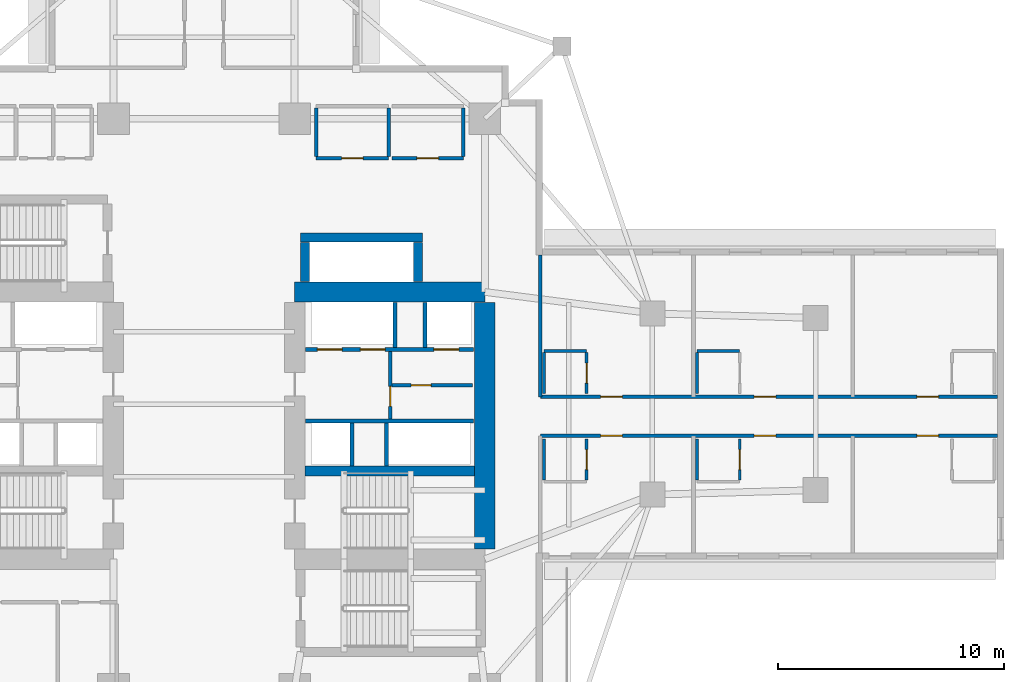
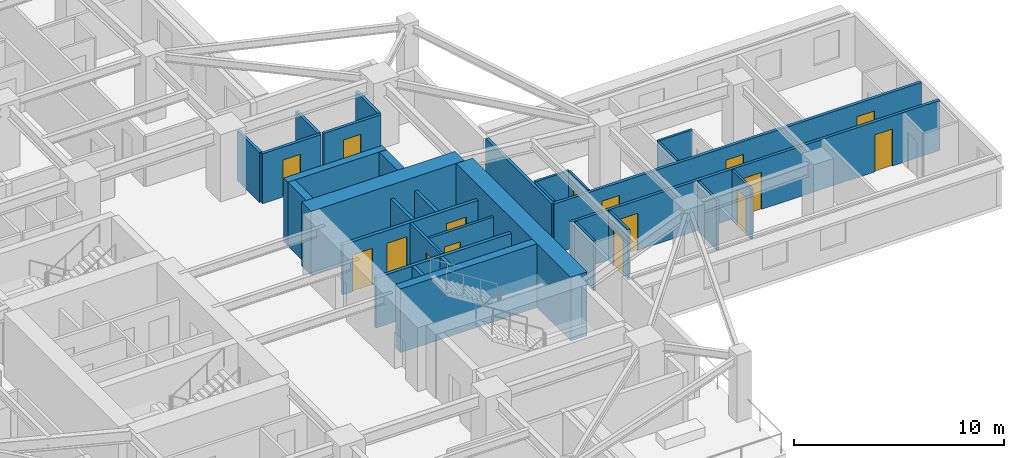
# One storey, part 6 of 13: 31 walls, 16 doors, 16 openings.
"""IFC4 building model written with IfcOpenShell, lengths in metres."""

from ifc_helpers import new_model, si_unit, direction, frame, frame_2d, origin, place, context, subcontext, project, spatial, rectangle, extrude, material, layer, layer_set, type_object, element, fill, save


model = new_model("IFC4")

# Units and contexts
model_context = context("Model", 3, precision=1e-05, world=origin(), true_north=direction((0.0, 1.0)))
body_context = subcontext(model_context, "Body", "Model", "MODEL_VIEW")
ifc_project = project(units=[si_unit("LENGTHUNIT", "METRE"), si_unit("AREAUNIT", "SQUARE_METRE"), si_unit("VOLUMEUNIT", "CUBIC_METRE"), si_unit("PLANEANGLEUNIT", "RADIAN"), si_unit("MASSUNIT", "GRAM", prefix="KILO")], contexts=[model_context])

# Site, building, storey
site_placement = place(None, origin())
site = spatial("IfcSite", under=ifc_project, at=site_placement, CompositionType="ELEMENT")
building_placement = place(site_placement, origin())
building = spatial("IfcBuilding", under=site, at=building_placement, Name="Qingluan Cross Belvedere", CompositionType="ELEMENT")
storey_placement = place(building_placement, frame((0.0, 0.0, 63.89990234375)))
storey = spatial("IfcBuildingStorey", under=building, at=storey_placement, Name="L16", CompositionType="ELEMENT", Elevation=63.89990234375)

# Walls
ifc_material_1 = material(Name="Concrete C50", Category="concrete")
ifc_layer_1 = layer(ifc_material_1, 0.449951171875, Name="CoreShearWall_450")
ifc_layer_set_1 = layer_set([ifc_layer_1], Name="Concrete C50")
wall_type_1 = type_object("IfcWallType", Name="CoreShearWall_450", PredefinedType="SHEAR", material=ifc_layer_set_1)
wall_1_placement = place(storey_placement, frame((4.455078125, -2.9599609375, 0.0), z_axis=(0.0, 0.0, 1.0), x_axis=(1.0, 0.0, 0.0)))
element("IfcWall", 1, at=wall_1_placement, inside=storey, type_object=wall_type_1, Name="Split core E shear wall L16-M", PredefinedType="SHEAR", context=body_context, shape_type="SweptSolid", body=[
    extrude(rectangle(XDim=7.489990234375, YDim=0.449951171875, at=frame_2d((3.7451171875, 0.0))), origin(), (0.0, 0.0, 1.0), 3.7001953125),
])
wall_2_placement = place(storey_placement, frame((4.449951171875, 5.405029296875, 0.0), z_axis=(0.0, 0.0, 1.0), x_axis=(0.0, 1.0, 0.0)))
element("IfcWall", 2, at=wall_2_placement, inside=storey, type_object=wall_type_1, Name="Express shuttle core wall L16-W", PredefinedType="SHEAR", context=body_context, shape_type="SweptSolid", body=[
    extrude(rectangle(XDim=1.73486328125, YDim=0.39990234375, at=frame_2d((0.867431640625, 0.0))), origin(), (0.0, 0.0, 1.0), 3.7001953125),
])
wall_3_placement = place(storey_placement, frame((4.25, 7.35009765625, 0.0), z_axis=(0.0, 0.0, 1.0), x_axis=(1.0, 0.0, 0.0)))
element("IfcWall", 3, at=wall_3_placement, inside=storey, type_object=wall_type_1, Name="Express shuttle core wall L16-N", PredefinedType="SHEAR", context=body_context, shape_type="SweptSolid", body=[
    extrude(rectangle(XDim=5.39990234375, YDim=0.39990234375, at=frame_2d((2.699951171875, 0.0))), origin(), (0.0, 0.0, 1.0), 3.7001953125),
])
wall_4_placement = place(storey_placement, frame((9.449951171875, 5.405029296875, 0.0), z_axis=(0.0, 0.0, 1.0), x_axis=(0.0, 1.0, 0.0)))
element("IfcWall", 4, at=wall_4_placement, inside=storey, type_object=wall_type_1, Name="Express shuttle core wall L16-E", PredefinedType="SHEAR", context=body_context, shape_type="SweptSolid", body=[
    extrude(rectangle(XDim=1.73486328125, YDim=0.39990234375, at=frame_2d((0.867431640625, 0.0))), origin(), (0.0, 0.0, 1.0), 3.7001953125),
])
ifc_material_2 = material(Name="Concrete C70", Category="concrete")
ifc_layer_2 = layer(ifc_material_2, 0.89990234375, Name="CoreShearWall_900")
ifc_layer_set_2 = layer_set([ifc_layer_2], Name="Concrete C70")
wall_type_2 = type_object("IfcWallType", Name="CoreShearWall_900", PredefinedType="SHEAR", material=ifc_layer_set_2)
wall_5_placement = place(storey_placement, frame((4.0, 4.949951171875, 0.0), z_axis=(0.0, 0.0, 1.0), x_axis=(1.0, 0.0, 0.0)))
element("IfcWall", 5, at=wall_5_placement, inside=storey, type_object=wall_type_2, Name="Split core E shear wall L16-N", PredefinedType="SHEAR", context=body_context, shape_type="SweptSolid", body=[
    extrude(rectangle(XDim=8.39990234375, YDim=0.89990234375, at=frame_2d((4.199951171875, 0.0))), origin(), (0.0, 0.0, 1.0), 3.7001953125),
])
wall_6_placement = place(storey_placement, frame((12.39990234375, -6.39501953125, 0.0), z_axis=(0.0, 0.0, 1.0), x_axis=(0.0, 1.0, 0.0)))
element("IfcWall", 6, at=wall_6_placement, inside=storey, type_object=wall_type_2, Name="Split core E shear wall L16-E", PredefinedType="SHEAR", context=body_context, shape_type="SweptSolid", body=[
    extrude(rectangle(XDim=10.89013671875, YDim=0.89990234375, at=frame_2d((5.445068359375, 0.0))), origin(), (0.0, 0.0, 1.0), 3.7001953125),
])

# Wall, opening, door
ifc_material_3 = material(Name="Gypsum plasterboard on steel stud acoustic partition", Category="steel")
ifc_layer_3 = layer(ifc_material_3, 0.159912109375, Name="CorridorPartition_160")
ifc_layer_set_3 = layer_set([ifc_layer_3], Name="Gypsum plasterboard on steel stud acoustic partition")
wall_type_3 = type_object("IfcWallType", Name="CorridorPartition_160", PredefinedType="PARTITIONING", material=ifc_layer_set_3)
wall_7_placement = place(storey_placement, frame((8.298095703125, 0.830078125, 0.0), z_axis=(0.0, 0.0, 1.0), x_axis=(1.0, 0.0, 0.0)))
wall_7 = element("IfcWall", 7, at=wall_7_placement, inside=storey, type_object=wall_type_3, Name="Partition L16:e", PredefinedType="PARTITIONING", context=body_context, shape_type="SweptSolid", body=[
    extrude(rectangle(XDim=3.552001953125, YDim=0.139892578125, at=frame_2d((1.77587890625, 0.0))), origin(), (0.0, 0.0, 1.0), 2.900146484375),
])
opening_1_placement = place(wall_7_placement, frame((0.85009765625, 0.0, 0.0)))
opening_1 = element("IfcOpeningElement", 8, at=opening_1_placement, cuts=wall_7, Name="Opening FD-B10", PredefinedType="OPENING", context=body_context, shape_type="SweptSolid", body=[
    extrude(rectangle(XDim=0.8798828125, YDim=2.10009765625, at=frame_2d((0.43994140625, 1.050048828125))), frame((0.0, 0.079833984375, 0.0), z_axis=(0.0, -1.0, 0.0), x_axis=(1.0, 0.0, 0.0)), (0.0, 0.0, 1.0), 0.159912109375),
])
ifc_material_4 = material(Name="Steel Class B service fire door", Category="steel")
door_type_1 = type_object("IfcDoorType", Name="RiserServiceFireDoor_FDB", OperationType="NOTDEFINED", PredefinedType="DOOR", material=ifc_material_4)
door_1_placement = place(opening_1_placement, origin())
door_1 = element("IfcDoor", 9, at=door_1_placement, inside=storey, type_object=door_type_1, Name="Service closet inner door L16", OperationType="SINGLE_SWING_LEFT", OverallHeight=2.10009765625, OverallWidth=0.8798828125, PredefinedType="DOOR", context=body_context, shape_type="SweptSolid", body=[
    extrude(rectangle(XDim=0.8798828125, YDim=2.10009765625, at=frame_2d((0.43994140625, 1.050048828125))), frame((0.0, 0.02490234375, 0.0), z_axis=(0.0, -1.0, 0.0), x_axis=(1.0, 0.0, 0.0)), (0.0, 0.0, 1.0), 0.050048828125),
])
fill(opening_1, door_1)

wall_8_placement = place(storey_placement, frame((4.949951171875, 10.85009765625, 0.0), z_axis=(0.0, 0.0, 1.0), x_axis=(1.0, 0.0, 0.0)))
wall_8 = element("IfcWall", 10, at=wall_8_placement, inside=storey, type_object=wall_type_3, Name="Partition L16:q_ne1:S", PredefinedType="PARTITIONING", context=body_context, shape_type="SweptSolid", body=[
    extrude(rectangle(XDim=3.199951171875, YDim=0.159912109375, at=frame_2d((1.60009765625, 0.0))), origin(), (0.0, 0.0, 1.0), 2.900146484375),
])
opening_2_placement = place(wall_8_placement, frame((1.1201171875, 0.0, 0.0)))
opening_2 = element("IfcOpeningElement", 11, at=opening_2_placement, cuts=wall_8, Name="Opening GD-10", PredefinedType="OPENING", context=body_context, shape_type="SweptSolid", body=[
    extrude(rectangle(XDim=0.9599609375, YDim=2.14990234375, at=frame_2d((0.47998046875, 1.074951171875))), frame((0.0, 0.08984375, 0.0), z_axis=(0.0, -1.0, 0.0), x_axis=(1.0, 0.0, 0.0)), (0.0, 0.0, 1.0), 0.179931640625),
])
ifc_material_5 = material(Name="Timber oak fire-rated acoustic guestroom door", Category="wood")
door_type_2 = type_object("IfcDoorType", Name="GuestEntryDoor_FD60", OperationType="NOTDEFINED", PredefinedType="DOOR", material=ifc_material_5)
door_2_placement = place(opening_2_placement, origin())
door_2 = element("IfcDoor", 12, at=door_2_placement, inside=storey, type_object=door_type_2, Name="Business conference room L16 door", OperationType="SINGLE_SWING_LEFT", OverallHeight=2.14990234375, OverallWidth=0.9599609375, PredefinedType="DOOR", context=body_context, shape_type="SweptSolid", body=[
    extrude(rectangle(XDim=0.9599609375, YDim=2.14990234375, at=frame_2d((0.47998046875, 1.074951171875))), frame((0.0, 0.02490234375, 0.0), z_axis=(0.0, -1.0, 0.0), x_axis=(1.0, 0.0, 0.0)), (0.0, 0.0, 1.0), 0.050048828125),
])
fill(opening_2, door_2)

# Walls
for number, where, z_axis, x_axis, name in (
    (13, (4.949951171875, 10.93505859375, 0.0), (0.0, 0.0, 1.0), (0.0, 1.0, 0.0), "Partition L16:q_ne1:W"),
    (14, (8.14990234375, 10.93505859375, 0.0), (0.0, 0.0, 1.0), (0.0, 1.0, 0.0), "Partition L16:q_ne1:E"),
):
    element("IfcWall", number, at=place(storey_placement, frame(where, z_axis=z_axis, x_axis=x_axis)), inside=storey, type_object=wall_type_3, Name=name, PredefinedType="PARTITIONING", context=body_context, shape_type="SweptSolid", body=[
        extrude(rectangle(XDim=2.1298828125, YDim=0.159912109375, at=frame_2d((1.06494140625, 0.0))), origin(), (0.0, 0.0, 1.0), 2.900146484375),
    ])

# Wall, opening, door
wall_9_placement = place(storey_placement, frame((8.31005859375, 10.85009765625, 0.0), z_axis=(0.0, 0.0, 1.0), x_axis=(1.0, 0.0, 0.0)))
wall_9 = element("IfcWall", 15, at=wall_9_placement, inside=storey, type_object=wall_type_3, Name="Partition L16:q_ne2:S", PredefinedType="PARTITIONING", context=body_context, shape_type="SweptSolid", body=[
    extrude(rectangle(XDim=3.139892578125, YDim=0.159912109375, at=frame_2d((1.56982421875, 0.0))), origin(), (0.0, 0.0, 1.0), 2.900146484375),
])
opening_3_placement = place(wall_9_placement, frame((1.090087890625, 0.0, 0.0)))
opening_3 = element("IfcOpeningElement", 16, at=opening_3_placement, cuts=wall_9, Name="Opening GD-10", PredefinedType="OPENING", context=body_context, shape_type="SweptSolid", body=[
    extrude(rectangle(XDim=0.9599609375, YDim=2.14990234375, at=frame_2d((0.47998046875, 1.074951171875))), frame((0.0, 0.08984375, 0.0), z_axis=(0.0, -1.0, 0.0), x_axis=(1.0, 0.0, 0.0)), (0.0, 0.0, 1.0), 0.179931640625),
])
door_3_placement = place(opening_3_placement, origin())
door_3 = element("IfcDoor", 17, at=door_3_placement, inside=storey, type_object=door_type_2, Name="Northeast quiet study L16 door", OperationType="SINGLE_SWING_RIGHT", OverallHeight=2.14990234375, OverallWidth=0.9599609375, PredefinedType="DOOR", context=body_context, shape_type="SweptSolid", body=[
    extrude(rectangle(XDim=0.9599609375, YDim=2.14990234375, at=frame_2d((0.47998046875, 1.074951171875))), frame((0.0, 0.02490234375, 0.0), z_axis=(0.0, -1.0, 0.0), x_axis=(1.0, 0.0, 0.0)), (0.0, 0.0, 1.0), 0.050048828125),
])
fill(opening_3, door_3)

# Wall
wall_10_placement = place(storey_placement, frame((11.449951171875, 10.93505859375, 0.0), z_axis=(0.0, 0.0, 1.0), x_axis=(0.0, 1.0, 0.0)))
element("IfcWall", 18, at=wall_10_placement, inside=storey, type_object=wall_type_3, Name="Partition L16:q_ne2:E", PredefinedType="PARTITIONING", context=body_context, shape_type="SweptSolid", body=[
    extrude(rectangle(XDim=2.1298828125, YDim=0.159912109375, at=frame_2d((1.06494140625, 0.0))), origin(), (0.0, 0.0, 1.0), 2.900146484375),
])

# Wall, openings, doors
wall_11_placement = place(storey_placement, frame((14.85009765625, 0.320068359375, 0.0), z_axis=(0.0, 0.0, 1.0), x_axis=(1.0, 0.0, 0.0)))
wall_11 = element("IfcWall", 19, at=wall_11_placement, inside=storey, type_object=wall_type_3, Name="Partition L16:E:c0", PredefinedType="PARTITIONING", context=body_context, shape_type="SweptSolid", body=[
    extrude(rectangle(XDim=20.181884765625, YDim=0.159912109375, at=frame_2d((10.0908203125, 0.0))), origin(), (0.0, 0.0, 1.0), 2.900146484375),
])
opening_4_placement = place(wall_11_placement, frame((2.656005859375, 0.0, 0.0)))
opening_4 = element("IfcOpeningElement", 20, at=opening_4_placement, cuts=wall_11, Name="Opening GD-10", PredefinedType="OPENING", context=body_context, shape_type="SweptSolid", body=[
    extrude(rectangle(XDim=0.9599609375, YDim=2.14990234375, at=frame_2d((0.47998046875, 1.074951171875))), frame((0.0, 0.08984375, 0.0), z_axis=(0.0, -1.0, 0.0), x_axis=(1.0, 0.0, 0.0)), (0.0, 0.0, 1.0), 0.179931640625),
])
opening_5_placement = place(wall_11_placement, frame((9.44189453125, 0.0, 0.0)))
opening_5 = element("IfcOpeningElement", 21, at=opening_5_placement, cuts=wall_11, Name="Opening GD-10", PredefinedType="OPENING", context=body_context, shape_type="SweptSolid", body=[
    extrude(rectangle(XDim=0.9599609375, YDim=2.14990234375, at=frame_2d((0.47998046875, 1.074951171875))), frame((0.0, 0.08984375, 0.0), z_axis=(0.0, -1.0, 0.0), x_axis=(1.0, 0.0, 0.0)), (0.0, 0.0, 1.0), 0.179931640625),
])
opening_6_placement = place(wall_11_placement, frame((16.626953125, 0.0, 0.0)))
opening_6 = element("IfcOpeningElement", 22, at=opening_6_placement, cuts=wall_11, Name="Opening GD-10", PredefinedType="OPENING", context=body_context, shape_type="SweptSolid", body=[
    extrude(rectangle(XDim=0.9599609375, YDim=2.14990234375, at=frame_2d((0.47998046875, 1.074951171875))), frame((0.0, 0.08984375, 0.0), z_axis=(0.0, -1.0, 0.0), x_axis=(1.0, 0.0, 0.0)), (0.0, 0.0, 1.0), 0.179931640625),
])
door_4_placement = place(opening_4_placement, origin())
door_4 = element("IfcDoor", 23, at=door_4_placement, inside=storey, type_object=door_type_2, Name="Guest entry fire door 1601", OperationType="SINGLE_SWING_LEFT", OverallHeight=2.14990234375, OverallWidth=0.9599609375, PredefinedType="DOOR", context=body_context, shape_type="SweptSolid", body=[
    extrude(rectangle(XDim=0.9599609375, YDim=2.14990234375, at=frame_2d((0.47998046875, 1.074951171875))), frame((0.0, 0.02490234375, 0.0), z_axis=(0.0, -1.0, 0.0), x_axis=(1.0, 0.0, 0.0)), (0.0, 0.0, 1.0), 0.050048828125),
])
fill(opening_4, door_4)
door_5_placement = place(opening_5_placement, origin())
door_5 = element("IfcDoor", 24, at=door_5_placement, inside=storey, type_object=door_type_2, Name="Guest entry fire door 1602", OperationType="SINGLE_SWING_LEFT", OverallHeight=2.14990234375, OverallWidth=0.9599609375, PredefinedType="DOOR", context=body_context, shape_type="SweptSolid", body=[
    extrude(rectangle(XDim=0.9599609375, YDim=2.14990234375, at=frame_2d((0.47998046875, 1.074951171875))), frame((0.0, 0.02490234375, 0.0), z_axis=(0.0, -1.0, 0.0), x_axis=(1.0, 0.0, 0.0)), (0.0, 0.0, 1.0), 0.050048828125),
])
fill(opening_5, door_5)
door_6_placement = place(opening_6_placement, origin())
door_6 = element("IfcDoor", 25, at=door_6_placement, inside=storey, type_object=door_type_2, Name="Guest entry fire door 1603", OperationType="SINGLE_SWING_LEFT", OverallHeight=2.14990234375, OverallWidth=0.9599609375, PredefinedType="DOOR", context=body_context, shape_type="SweptSolid", body=[
    extrude(rectangle(XDim=0.9599609375, YDim=2.14990234375, at=frame_2d((0.47998046875, 1.074951171875))), frame((0.0, 0.02490234375, 0.0), z_axis=(0.0, -1.0, 0.0), x_axis=(1.0, 0.0, 0.0)), (0.0, 0.0, 1.0), 0.050048828125),
])
fill(opening_6, door_6)

# Wall
wall_12_placement = place(storey_placement, frame((14.85009765625, 0.320068359375, 0.0), z_axis=(0.0, 0.0, 1.0), x_axis=(0.0, 1.0, 0.0)))
element("IfcWall", 26, at=wall_12_placement, inside=storey, type_object=wall_type_3, Name="Partition L16:E:s0", PredefinedType="PARTITIONING", context=body_context, shape_type="SweptSolid", body=[
    extrude(rectangle(XDim=6.251953125, YDim=0.159912109375, at=frame_2d((3.1259765625, 0.0))), origin(), (0.0, 0.0, 1.0), 2.900146484375),
])

# Wall, openings, doors
wall_13_placement = place(storey_placement, frame((14.85009765625, -1.39990234375, 0.0), z_axis=(0.0, 0.0, 1.0), x_axis=(1.0, 0.0, 0.0)))
wall_13 = element("IfcWall", 27, at=wall_13_placement, inside=storey, type_object=wall_type_3, Name="Partition L16:E:c1", PredefinedType="PARTITIONING", context=body_context, shape_type="SweptSolid", body=[
    extrude(rectangle(XDim=20.181884765625, YDim=0.159912109375, at=frame_2d((10.0908203125, 0.0))), origin(), (0.0, 0.0, 1.0), 2.900146484375),
])
opening_7_placement = place(wall_13_placement, frame((2.656005859375, 0.0, 0.0)))
opening_7 = element("IfcOpeningElement", 28, at=opening_7_placement, cuts=wall_13, Name="Opening GD-10", PredefinedType="OPENING", context=body_context, shape_type="SweptSolid", body=[
    extrude(rectangle(XDim=0.9599609375, YDim=2.14990234375, at=frame_2d((0.47998046875, 1.074951171875))), frame((0.0, 0.08984375, 0.0), z_axis=(0.0, -1.0, 0.0), x_axis=(1.0, 0.0, 0.0)), (0.0, 0.0, 1.0), 0.179931640625),
])
opening_8_placement = place(wall_13_placement, frame((9.44189453125, 0.0, 0.0)))
opening_8 = element("IfcOpeningElement", 29, at=opening_8_placement, cuts=wall_13, Name="Opening GD-10", PredefinedType="OPENING", context=body_context, shape_type="SweptSolid", body=[
    extrude(rectangle(XDim=0.9599609375, YDim=2.14990234375, at=frame_2d((0.47998046875, 1.074951171875))), frame((0.0, 0.08984375, 0.0), z_axis=(0.0, -1.0, 0.0), x_axis=(1.0, 0.0, 0.0)), (0.0, 0.0, 1.0), 0.179931640625),
])
opening_9_placement = place(wall_13_placement, frame((16.626953125, 0.0, 0.0)))
opening_9 = element("IfcOpeningElement", 30, at=opening_9_placement, cuts=wall_13, Name="Opening GD-10", PredefinedType="OPENING", context=body_context, shape_type="SweptSolid", body=[
    extrude(rectangle(XDim=0.9599609375, YDim=2.14990234375, at=frame_2d((0.47998046875, 1.074951171875))), frame((0.0, 0.08984375, 0.0), z_axis=(0.0, -1.0, 0.0), x_axis=(1.0, 0.0, 0.0)), (0.0, 0.0, 1.0), 0.179931640625),
])
door_7_placement = place(opening_7_placement, origin())
door_7 = element("IfcDoor", 31, at=door_7_placement, inside=storey, type_object=door_type_2, Name="Guest entry fire door 1604", OperationType="SINGLE_SWING_LEFT", OverallHeight=2.14990234375, OverallWidth=0.9599609375, PredefinedType="DOOR", context=body_context, shape_type="SweptSolid", body=[
    extrude(rectangle(XDim=0.9599609375, YDim=2.14990234375, at=frame_2d((0.47998046875, 1.074951171875))), frame((0.0, 0.02490234375, 0.0), z_axis=(0.0, -1.0, 0.0), x_axis=(1.0, 0.0, 0.0)), (0.0, 0.0, 1.0), 0.050048828125),
])
fill(opening_7, door_7)
door_8_placement = place(opening_8_placement, origin())
door_8 = element("IfcDoor", 32, at=door_8_placement, inside=storey, type_object=door_type_2, Name="Guest entry fire door 1605", OperationType="SINGLE_SWING_LEFT", OverallHeight=2.14990234375, OverallWidth=0.9599609375, PredefinedType="DOOR", context=body_context, shape_type="SweptSolid", body=[
    extrude(rectangle(XDim=0.9599609375, YDim=2.14990234375, at=frame_2d((0.47998046875, 1.074951171875))), frame((0.0, 0.02490234375, 0.0), z_axis=(0.0, -1.0, 0.0), x_axis=(1.0, 0.0, 0.0)), (0.0, 0.0, 1.0), 0.050048828125),
])
fill(opening_8, door_8)
door_9_placement = place(opening_9_placement, origin())
door_9 = element("IfcDoor", 33, at=door_9_placement, inside=storey, type_object=door_type_2, Name="Guest entry fire door 1606", OperationType="SINGLE_SWING_LEFT", OverallHeight=2.14990234375, OverallWidth=0.9599609375, PredefinedType="DOOR", context=body_context, shape_type="SweptSolid", body=[
    extrude(rectangle(XDim=0.9599609375, YDim=2.14990234375, at=frame_2d((0.47998046875, 1.074951171875))), frame((0.0, 0.02490234375, 0.0), z_axis=(0.0, -1.0, 0.0), x_axis=(1.0, 0.0, 0.0)), (0.0, 0.0, 1.0), 0.050048828125),
])
fill(opening_9, door_9)

# Wall, opening, door
ifc_material_6 = material(Name="Moisture-resistant gypsum board lining")
ifc_layer_4 = layer(ifc_material_6, 0.1201171875, Name="EnsuiteWetPartition_120")
ifc_layer_set_4 = layer_set([ifc_layer_4], Name="Moisture-resistant gypsum board lining")
wall_type_4 = type_object("IfcWallType", Name="EnsuiteWetPartition_120", PredefinedType="PARTITIONING", material=ifc_layer_set_4)
wall_14_placement = place(storey_placement, frame((16.889892578125, 0.4599609375, 0.0), z_axis=(0.0, 0.0, 1.0), x_axis=(0.0, 1.0, 0.0)))
wall_14 = element("IfcWall", 34, at=wall_14_placement, inside=storey, type_object=wall_type_4, Name="Partition L16:E:bs0_0", PredefinedType="PARTITIONING", context=body_context, shape_type="SweptSolid", body=[
    extrude(rectangle(XDim=1.820068359375, YDim=0.1201171875, at=frame_2d((0.91015625, 0.0))), origin(), (0.0, 0.0, 1.0), 2.900146484375),
])
opening_10_placement = place(wall_14_placement, frame((0.469970703125, 0.0, 0.0)))
opening_10 = element("IfcOpeningElement", 35, at=opening_10_placement, cuts=wall_14, Name="Opening BD-09", PredefinedType="OPENING", context=body_context, shape_type="SweptSolid", body=[
    extrude(rectangle(XDim=0.8798828125, YDim=2.10009765625, at=frame_2d((0.43994140625, 1.050048828125))), frame((0.0, 0.070068359375, 0.0), z_axis=(0.0, -1.0, 0.0), x_axis=(1.0, 0.0, 0.0)), (0.0, 0.0, 1.0), 0.14013671875),
])
ifc_material_7 = material(Name="Moisture-sealed timber en-suite door", Category="wood")
door_type_3 = type_object("IfcDoorType", Name="BathroomDoor_880", OperationType="NOTDEFINED", PredefinedType="DOOR", material=ifc_material_7)
door_10_placement = place(opening_10_placement, origin())
door_10 = element("IfcDoor", 36, at=door_10_placement, inside=storey, type_object=door_type_3, Name="Bathroom door 1601", OperationType="SINGLE_SWING_RIGHT", OverallHeight=2.10009765625, OverallWidth=0.8798828125, PredefinedType="DOOR", context=body_context, shape_type="SweptSolid", body=[
    extrude(rectangle(XDim=0.8798828125, YDim=2.10009765625, at=frame_2d((0.43994140625, 1.050048828125))), frame((0.0, 0.02490234375, 0.0), z_axis=(0.0, -1.0, 0.0), x_axis=(1.0, 0.0, 0.0)), (0.0, 0.0, 1.0), 0.050048828125),
])
fill(opening_10, door_10)

# Walls
wall_15_placement = place(storey_placement, frame((15.010009765625, 0.4599609375, 0.0), z_axis=(0.0, 0.0, 1.0), x_axis=(0.0, 1.0, 0.0)))
element("IfcWall", 37, at=wall_15_placement, inside=storey, type_object=wall_type_4, Name="Partition L16:E:bw0_0", PredefinedType="PARTITIONING", context=body_context, shape_type="SweptSolid", body=[
    extrude(rectangle(XDim=1.820068359375, YDim=0.1201171875, at=frame_2d((0.91015625, 0.0))), origin(), (0.0, 0.0, 1.0), 2.900146484375),
])
wall_16_placement = place(storey_placement, frame((15.010009765625, 2.344970703125, 0.0), z_axis=(0.0, 0.0, 1.0), x_axis=(1.0, 0.0, 0.0)))
element("IfcWall", 38, at=wall_16_placement, inside=storey, type_object=wall_type_4, Name="Partition L16:E:bn0_0", PredefinedType="PARTITIONING", context=body_context, shape_type="SweptSolid", body=[
    extrude(rectangle(XDim=1.8798828125, YDim=0.1201171875, at=frame_2d((0.93994140625, 0.0))), origin(), (0.0, 0.0, 1.0), 2.900146484375),
])
wall_17_placement = place(storey_placement, frame((21.77001953125, 0.4599609375, 0.0), z_axis=(0.0, 0.0, 1.0), x_axis=(0.0, 1.0, 0.0)))
element("IfcWall", 39, at=wall_17_placement, inside=storey, type_object=wall_type_4, Name="Partition L16:E:bw0_1", PredefinedType="PARTITIONING", context=body_context, shape_type="SweptSolid", body=[
    extrude(rectangle(XDim=1.820068359375, YDim=0.1201171875, at=frame_2d((0.91015625, 0.0))), origin(), (0.0, 0.0, 1.0), 2.900146484375),
])
wall_18_placement = place(storey_placement, frame((21.77001953125, 2.344970703125, 0.0), z_axis=(0.0, 0.0, 1.0), x_axis=(1.0, 0.0, 0.0)))
element("IfcWall", 40, at=wall_18_placement, inside=storey, type_object=wall_type_4, Name="Partition L16:E:bn0_1", PredefinedType="PARTITIONING", context=body_context, shape_type="SweptSolid", body=[
    extrude(rectangle(XDim=1.8798828125, YDim=0.1201171875, at=frame_2d((0.93994140625, 0.0))), origin(), (0.0, 0.0, 1.0), 2.900146484375),
])

# Wall, opening, door
wall_19_placement = place(storey_placement, frame((16.889892578125, -3.360107421875, 0.0), z_axis=(0.0, 0.0, 1.0), x_axis=(0.0, 1.0, 0.0)))
wall_19 = element("IfcWall", 41, at=wall_19_placement, inside=storey, type_object=wall_type_4, Name="Partition L16:E:bs1_0", PredefinedType="PARTITIONING", context=body_context, shape_type="SweptSolid", body=[
    extrude(rectangle(XDim=1.820068359375, YDim=0.1201171875, at=frame_2d((0.91015625, 0.0))), origin(), (0.0, 0.0, 1.0), 2.900146484375),
])
opening_11_placement = place(wall_19_placement, frame((0.469970703125, 0.0, 0.0)))
opening_11 = element("IfcOpeningElement", 42, at=opening_11_placement, cuts=wall_19, Name="Opening BD-09", PredefinedType="OPENING", context=body_context, shape_type="SweptSolid", body=[
    extrude(rectangle(XDim=0.8798828125, YDim=2.10009765625, at=frame_2d((0.43994140625, 1.050048828125))), frame((0.0, 0.070068359375, 0.0), z_axis=(0.0, -1.0, 0.0), x_axis=(1.0, 0.0, 0.0)), (0.0, 0.0, 1.0), 0.14013671875),
])
door_11_placement = place(opening_11_placement, origin())
door_11 = element("IfcDoor", 43, at=door_11_placement, inside=storey, type_object=door_type_3, Name="Bathroom door 1604", OperationType="SINGLE_SWING_RIGHT", OverallHeight=2.10009765625, OverallWidth=0.8798828125, PredefinedType="DOOR", context=body_context, shape_type="SweptSolid", body=[
    extrude(rectangle(XDim=0.8798828125, YDim=2.10009765625, at=frame_2d((0.43994140625, 1.050048828125))), frame((0.0, 0.02490234375, 0.0), z_axis=(0.0, -1.0, 0.0), x_axis=(1.0, 0.0, 0.0)), (0.0, 0.0, 1.0), 0.050048828125),
])
fill(opening_11, door_11)

# Wall
wall_20_placement = place(storey_placement, frame((15.010009765625, -3.360107421875, 0.0), z_axis=(0.0, 0.0, 1.0), x_axis=(0.0, 1.0, 0.0)))
element("IfcWall", 44, at=wall_20_placement, inside=storey, type_object=wall_type_4, Name="Partition L16:E:bw1_0", PredefinedType="PARTITIONING", context=body_context, shape_type="SweptSolid", body=[
    extrude(rectangle(XDim=1.820068359375, YDim=0.1201171875, at=frame_2d((0.91015625, 0.0))), origin(), (0.0, 0.0, 1.0), 2.900146484375),
])

# Wall, opening, door
wall_21_placement = place(storey_placement, frame((23.64990234375, -3.360107421875, 0.0), z_axis=(0.0, 0.0, 1.0), x_axis=(0.0, 1.0, 0.0)))
wall_21 = element("IfcWall", 45, at=wall_21_placement, inside=storey, type_object=wall_type_4, Name="Partition L16:E:bs1_1", PredefinedType="PARTITIONING", context=body_context, shape_type="SweptSolid", body=[
    extrude(rectangle(XDim=1.820068359375, YDim=0.1201171875, at=frame_2d((0.91015625, 0.0))), origin(), (0.0, 0.0, 1.0), 2.900146484375),
])
opening_12_placement = place(wall_21_placement, frame((0.469970703125, 0.0, 0.0)))
opening_12 = element("IfcOpeningElement", 46, at=opening_12_placement, cuts=wall_21, Name="Opening BD-09", PredefinedType="OPENING", context=body_context, shape_type="SweptSolid", body=[
    extrude(rectangle(XDim=0.8798828125, YDim=2.10009765625, at=frame_2d((0.43994140625, 1.050048828125))), frame((0.0, 0.070068359375, 0.0), z_axis=(0.0, -1.0, 0.0), x_axis=(1.0, 0.0, 0.0)), (0.0, 0.0, 1.0), 0.14013671875),
])
door_12_placement = place(opening_12_placement, origin())
door_12 = element("IfcDoor", 47, at=door_12_placement, inside=storey, type_object=door_type_3, Name="Bathroom door 1605", OperationType="SINGLE_SWING_RIGHT", OverallHeight=2.10009765625, OverallWidth=0.8798828125, PredefinedType="DOOR", context=body_context, shape_type="SweptSolid", body=[
    extrude(rectangle(XDim=0.8798828125, YDim=2.10009765625, at=frame_2d((0.43994140625, 1.050048828125))), frame((0.0, 0.02490234375, 0.0), z_axis=(0.0, -1.0, 0.0), x_axis=(1.0, 0.0, 0.0)), (0.0, 0.0, 1.0), 0.050048828125),
])
fill(opening_12, door_12)

# Wall
wall_22_placement = place(storey_placement, frame((21.77001953125, -3.360107421875, 0.0), z_axis=(0.0, 0.0, 1.0), x_axis=(0.0, 1.0, 0.0)))
element("IfcWall", 48, at=wall_22_placement, inside=storey, type_object=wall_type_4, Name="Partition L16:E:bw1_1", PredefinedType="PARTITIONING", context=body_context, shape_type="SweptSolid", body=[
    extrude(rectangle(XDim=1.820068359375, YDim=0.1201171875, at=frame_2d((0.91015625, 0.0))), origin(), (0.0, 0.0, 1.0), 2.900146484375),
])

# Wall, openings, doors
ifc_material_8 = material(Name="Concrete C40", Category="concrete")
ifc_layer_5 = layer(ifc_material_8, 0.219970703125, Name="ShaftEnclosureWall_250")
ifc_layer_set_5 = layer_set([ifc_layer_5], Name="Concrete C40")
wall_type_5 = type_object("IfcWallType", Name="ShaftEnclosureWall_250", PredefinedType="SOLIDWALL", material=ifc_layer_set_5)
wall_23_placement = place(storey_placement, frame((4.47998046875, 2.409912109375, 0.0), z_axis=(0.0, 0.0, 1.0), x_axis=(1.0, 0.0, 0.0)))
wall_23 = element("IfcWall", 49, at=wall_23_placement, inside=storey, type_object=wall_type_5, Name="Core-E north hoistway wall L16", PredefinedType="SOLIDWALL", context=body_context, shape_type="SweptSolid", body=[
    extrude(rectangle(XDim=7.419921875, YDim=0.179931640625, at=frame_2d((3.7099609375, 0.0))), origin(), (0.0, 0.0, 1.0), 2.900146484375),
])
opening_13_placement = place(wall_23_placement, frame((5.669921875, 0.0, 0.0)))
opening_13 = element("IfcOpeningElement", 50, at=opening_13_placement, cuts=wall_23, Name="Opening LD-11", PredefinedType="OPENING", context=body_context, shape_type="SweptSolid", body=[
    extrude(rectangle(XDim=1.10009765625, YDim=2.14990234375, at=frame_2d((0.550048828125, 1.074951171875))), frame((0.0, 0.099853515625, 0.0), z_axis=(0.0, -1.0, 0.0), x_axis=(1.0, 0.0, 0.0)), (0.0, 0.0, 1.0), 0.199951171875),
])
opening_14_placement = place(wall_23_placement, frame((0.52001953125, 0.0, 0.0)))
opening_14 = element("IfcOpeningElement", 51, at=opening_14_placement, cuts=wall_23, Name="Opening LD-11", PredefinedType="OPENING", context=body_context, shape_type="SweptSolid", body=[
    extrude(rectangle(XDim=1.10009765625, YDim=2.14990234375, at=frame_2d((0.550048828125, 1.074951171875))), frame((0.0, 0.099853515625, 0.0), z_axis=(0.0, -1.0, 0.0), x_axis=(1.0, 0.0, 0.0)), (0.0, 0.0, 1.0), 0.199951171875),
])
opening_15_placement = place(wall_23_placement, frame((2.419921875, 0.0, 0.0)))
opening_15 = element("IfcOpeningElement", 52, at=opening_15_placement, cuts=wall_23, Name="Opening LD-11", PredefinedType="OPENING", context=body_context, shape_type="SweptSolid", body=[
    extrude(rectangle(XDim=1.10009765625, YDim=2.14990234375, at=frame_2d((0.550048828125, 1.074951171875))), frame((0.0, 0.099853515625, 0.0), z_axis=(0.0, -1.0, 0.0), x_axis=(1.0, 0.0, 0.0)), (0.0, 0.0, 1.0), 0.199951171875),
])
ifc_material_9 = material(Name="Brushed stainless steel centre-opening lift landing door", Category="steel")
door_type_4 = type_object("IfcDoorType", Name="LiftLandingSlidingDoor_1100", OperationType="DOUBLE_DOOR_SLIDING", PredefinedType="DOOR", material=ifc_material_9)
door_13_placement = place(opening_13_placement, origin())
door_13 = element("IfcDoor", 53, at=door_13_placement, inside=storey, type_object=door_type_4, Name="Lift landing sliding door FL2 L16", OperationType="DOUBLE_DOOR_SLIDING", OverallHeight=2.14990234375, OverallWidth=1.10009765625, PredefinedType="DOOR", context=body_context, shape_type="SweptSolid", body=[
    extrude(rectangle(XDim=1.10009765625, YDim=2.14990234375, at=frame_2d((0.550048828125, 1.074951171875))), frame((0.0, 0.02490234375, 0.0), z_axis=(0.0, -1.0, 0.0), x_axis=(1.0, 0.0, 0.0)), (0.0, 0.0, 1.0), 0.050048828125),
])
fill(opening_13, door_13)
door_14_placement = place(opening_14_placement, origin())
door_14 = element("IfcDoor", 54, at=door_14_placement, inside=storey, type_object=door_type_4, Name="Lift landing sliding door LP3 L16", OperationType="DOUBLE_DOOR_SLIDING", OverallHeight=2.14990234375, OverallWidth=1.10009765625, PredefinedType="DOOR", context=body_context, shape_type="SweptSolid", body=[
    extrude(rectangle(XDim=1.10009765625, YDim=2.14990234375, at=frame_2d((0.550048828125, 1.074951171875))), frame((0.0, 0.02490234375, 0.0), z_axis=(0.0, -1.0, 0.0), x_axis=(1.0, 0.0, 0.0)), (0.0, 0.0, 1.0), 0.050048828125),
])
fill(opening_14, door_14)
door_15_placement = place(opening_15_placement, origin())
door_15 = element("IfcDoor", 55, at=door_15_placement, inside=storey, type_object=door_type_4, Name="Lift landing sliding door LP4 L16", OperationType="DOUBLE_DOOR_SLIDING", OverallHeight=2.14990234375, OverallWidth=1.10009765625, PredefinedType="DOOR", context=body_context, shape_type="SweptSolid", body=[
    extrude(rectangle(XDim=1.10009765625, YDim=2.14990234375, at=frame_2d((0.550048828125, 1.074951171875))), frame((0.0, 0.02490234375, 0.0), z_axis=(0.0, -1.0, 0.0), x_axis=(1.0, 0.0, 0.0)), (0.0, 0.0, 1.0), 0.050048828125),
])
fill(opening_15, door_15)

# Walls
wall_24_placement = place(storey_placement, frame((4.47998046875, -0.75, 0.0), z_axis=(0.0, 0.0, 1.0), x_axis=(1.0, 0.0, 0.0)))
element("IfcWall", 56, at=wall_24_placement, inside=storey, type_object=wall_type_5, Name="Core-E mid hoistway wall L16", PredefinedType="SOLIDWALL", context=body_context, shape_type="SweptSolid", body=[
    extrude(rectangle(XDim=7.419921875, YDim=0.179931640625, at=frame_2d((3.7099609375, 0.0))), origin(), (0.0, 0.0, 1.0), 2.900146484375),
])
for number, where, z_axis, x_axis, name in (
    (57, (8.43994140625, 2.5, 0.0), (0.0, 0.0, 1.0), (0.0, 1.0, 0.0), "Hoistway enclosure divider LP4E L16"),
    (58, (9.760009765625, 2.5, 0.0), (0.0, 0.0, 1.0), (0.0, 1.0, 0.0), "Hoistway enclosure divider FL2W L16"),
):
    element("IfcWall", number, at=place(storey_placement, frame(where, z_axis=z_axis, x_axis=x_axis)), inside=storey, type_object=wall_type_5, Name=name, PredefinedType="SOLIDWALL", context=body_context, shape_type="SweptSolid", body=[
        extrude(rectangle(XDim=1.989990234375, YDim=0.179931640625, at=frame_2d((0.9951171875, 0.0))), origin(), (0.0, 0.0, 1.0), 2.900146484375),
    ])
for number, where, z_axis, x_axis, name in (
    (59, (6.5400390625, -2.72998046875, 0.0), (0.0, 0.0, 1.0), (0.0, 1.0, 0.0), "Hoistway enclosure divider LP7E L16"),
    (60, (8.06005859375, -2.72998046875, 0.0), (0.0, 0.0, 1.0), (0.0, 1.0, 0.0), "Hoistway enclosure divider LP9W L16"),
):
    element("IfcWall", number, at=place(storey_placement, frame(where, z_axis=z_axis, x_axis=x_axis)), inside=storey, type_object=wall_type_5, Name=name, PredefinedType="SOLIDWALL", context=body_context, shape_type="SweptSolid", body=[
        extrude(rectangle(XDim=1.889892578125, YDim=0.179931640625, at=frame_2d((0.94482421875, 0.0))), origin(), (0.0, 0.0, 1.0), 2.900146484375),
    ])

# Wall, opening, door
wall_25_placement = place(storey_placement, frame((8.219970703125, -0.64990234375, 0.0), z_axis=(0.0, 0.0, 1.0), x_axis=(0.0, 1.0, 0.0)))
wall_25 = element("IfcWall", 61, at=wall_25_placement, inside=storey, type_object=wall_type_5, Name="Core-E service corridor wall L16", PredefinedType="SOLIDWALL", context=body_context, shape_type="SweptSolid", body=[
    extrude(rectangle(XDim=2.9599609375, YDim=0.139892578125, at=frame_2d((1.47998046875, 0.0))), origin(), (0.0, 0.0, 1.0), 2.900146484375),
])
opening_16_placement = place(wall_25_placement, frame((0.550048828125, 0.0, 0.0)))
opening_16 = element("IfcOpeningElement", 62, at=opening_16_placement, cuts=wall_25, Name="Opening FD-B10", PredefinedType="OPENING", context=body_context, shape_type="SweptSolid", body=[
    extrude(rectangle(XDim=0.8798828125, YDim=2.10009765625, at=frame_2d((0.43994140625, 1.050048828125))), frame((0.0, 0.079833984375, 0.0), z_axis=(0.0, -1.0, 0.0), x_axis=(1.0, 0.0, 0.0)), (0.0, 0.0, 1.0), 0.159912109375),
])
door_16_placement = place(opening_16_placement, origin())
door_16 = element("IfcDoor", 63, at=door_16_placement, inside=storey, type_object=door_type_1, Name="Core-E service room door L16", OperationType="SINGLE_SWING_LEFT", OverallHeight=2.10009765625, OverallWidth=0.8798828125, PredefinedType="DOOR", context=body_context, shape_type="SweptSolid", body=[
    extrude(rectangle(XDim=0.8798828125, YDim=2.10009765625, at=frame_2d((0.43994140625, 1.050048828125))), frame((0.0, 0.02490234375, 0.0), z_axis=(0.0, -1.0, 0.0), x_axis=(1.0, 0.0, 0.0)), (0.0, 0.0, 1.0), 0.050048828125),
])
fill(opening_16, door_16)

save(model, "model.ifc")
